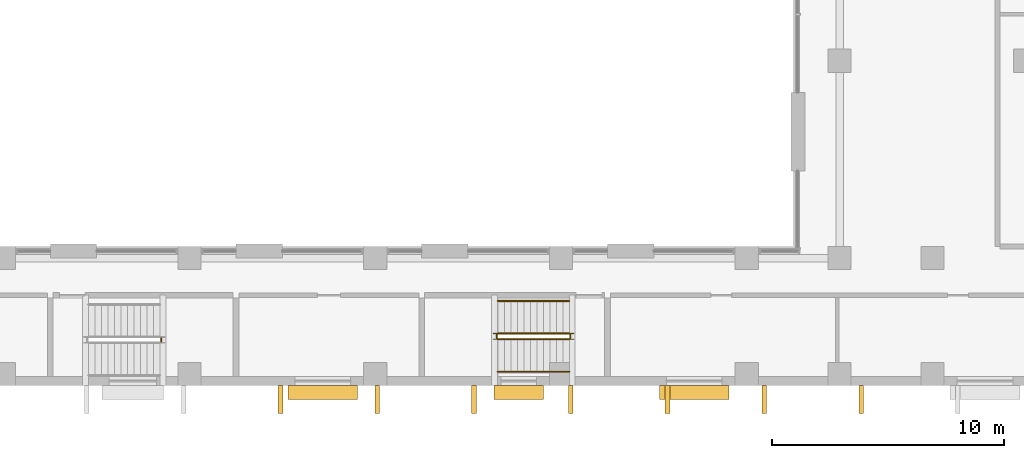
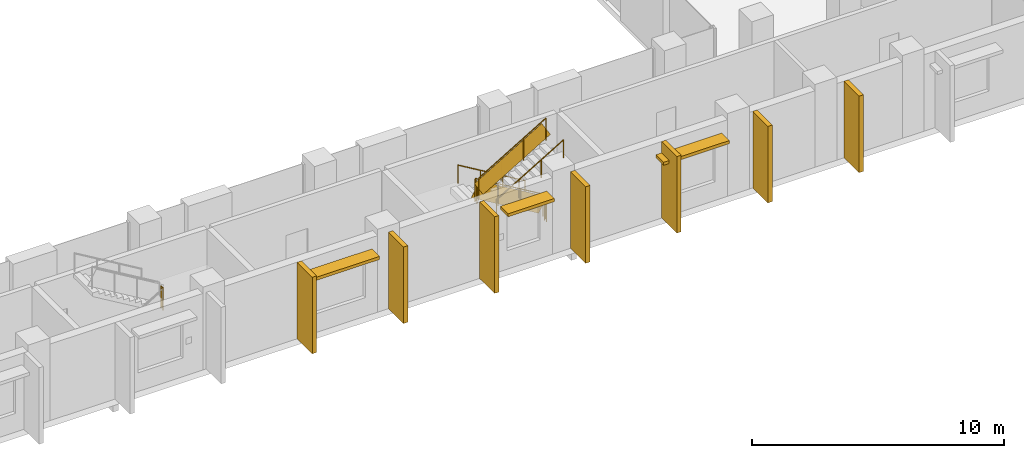
# One storey, part 20 of 25: 10 shading devices, 7 railings.
"""IFC4 building model written with IfcOpenShell, lengths in metres."""

from ifc_helpers import new_model, si_unit, direction, frame, frame_2d, origin, origin_2d, place, context, subcontext, project, spatial, rectangle, circle, extrude, material, layer, layer_set, type_object, element, save


model = new_model("IFC4")

# Units and contexts
model_context = context("Model", 3, precision=1e-05, world=origin(), true_north=direction((0.0, 1.0)))
body_context = subcontext(model_context, "Body", "Model", "MODEL_VIEW")
ifc_project = project(units=[si_unit("LENGTHUNIT", "METRE"), si_unit("AREAUNIT", "SQUARE_METRE"), si_unit("VOLUMEUNIT", "CUBIC_METRE"), si_unit("PLANEANGLEUNIT", "RADIAN"), si_unit("MASSUNIT", "GRAM", prefix="KILO")], contexts=[model_context])

# Site, building, storey
site_placement = place(None, origin())
site = spatial("IfcSite", under=ifc_project, at=site_placement, CompositionType="ELEMENT")
building_placement = place(site_placement, origin())
building = spatial("IfcBuilding", under=site, at=building_placement, Name="Vidyagriha Tower", CompositionType="ELEMENT")
storey_placement = place(building_placement, frame((0.0, 0.0, 10.0)))
storey = spatial("IfcBuildingStorey", under=building, at=storey_placement, Name="L02", CompositionType="ELEMENT", Elevation=10.0)

# Shading devices
ifc_material_1 = material(Name="Precast concrete C40/50 with brick facing", Category="concrete")
ifc_layer_1 = layer(ifc_material_1, 0.14990234375)
ifc_layer_set_1 = layer_set([ifc_layer_1], Name="Precast concrete C40/50 with brick facing")
shading_device_type_1 = type_object("IfcShadingDeviceType", Name="Brick chhajja window hood", PredefinedType="AWNING", material=ifc_layer_set_1)
shading_device_1_placement = place(storey_placement, frame((-0.264892578125, -50.300048828125, 3.0)))
element("IfcShadingDevice", 1, at=shading_device_1_placement, inside=storey, type_object=shading_device_type_1, Name="Window hood L02 R06.20", PredefinedType="AWNING", context=body_context, shape_type="SweptSolid", body=[
    extrude(rectangle(XDim=3.0, YDim=0.60009765625, at=origin_2d()), origin(), (0.0, 0.0, 1.0), 0.14990234375),
])
shading_device_2_placement = place(storey_placement, frame((8.175048828125, -50.300048828125, 3.0)))
element("IfcShadingDevice", 2, at=shading_device_2_placement, inside=storey, type_object=shading_device_type_1, Name="Window hood L02 R06.24", PredefinedType="AWNING", context=body_context, shape_type="SweptSolid", body=[
    extrude(rectangle(XDim=2.1201171875, YDim=0.60009765625, at=origin_2d()), origin(), (0.0, 0.0, 1.0), 0.14990234375),
])
shading_device_3_placement = place(storey_placement, frame((15.735107421875, -50.300048828125, 3.0)))
element("IfcShadingDevice", 3, at=shading_device_3_placement, inside=storey, type_object=shading_device_type_1, Name="Window hood L02 R06.28", PredefinedType="AWNING", context=body_context, shape_type="SweptSolid", body=[
    extrude(rectangle(XDim=3.0, YDim=0.60009765625, at=origin_2d()), origin(), (0.0, 0.0, 1.0), 0.14990234375),
])
ifc_material_2 = material(Name="Precast concrete C40/50 with brick facing", Category="concrete")
ifc_layer_2 = layer(ifc_material_2, 0.199951171875)
ifc_layer_set_2 = layer_set([ifc_layer_2], Name="Precast concrete C40/50 with brick facing")
shading_device_type_2 = type_object("IfcShadingDeviceType", Name="Brick-faced solar fin 1200", PredefinedType="USERDEFINED", material=ifc_layer_set_2)
for number, where, z_axis, x_axis, name in (
    (4, (-2.084228515625, -50.0, 0.0), (0.0, 0.0, 1.0), (0.0, -1.0, 0.0), "Solar fin L02 R06.9"),
    (5, (2.084228515625, -50.0, 0.0), (0.0, 0.0, 1.0), (0.0, -1.0, 0.0), "Solar fin L02 R06.10"),
    (6, (6.252685546875, -50.0, 0.0), (0.0, 0.0, 1.0), (0.0, -1.0, 0.0), "Solar fin L02 R06.11"),
    (7, (10.421142578125, -50.0, 0.0), (0.0, 0.0, 1.0), (0.0, -1.0, 0.0), "Solar fin L02 R06.12"),
    (8, (14.589599609375, -50.0, 0.0), (0.0, 0.0, 1.0), (0.0, -1.0, 0.0), "Solar fin L02 R06.13"),
    (9, (18.7578125, -50.0, 0.0), (0.0, 0.0, 1.0), (0.0, -1.0, 0.0), "Solar fin L02 R06.14"),
    (10, (22.92626953125, -50.0, 0.0), (0.0, 0.0, 1.0), (0.0, -1.0, 0.0), "Solar fin L02 R06.15"),
):
    element("IfcShadingDevice", number, at=place(storey_placement, frame(where, z_axis=z_axis, x_axis=x_axis)), inside=storey, type_object=shading_device_type_2, Name=name, ObjectType="SOLAR FIN", PredefinedType="USERDEFINED", context=body_context, shape_type="SweptSolid", body=[
        extrude(rectangle(XDim=1.199951171875, YDim=0.199951171875, at=frame_2d((0.60009765625, 0.0))), origin(), (0.0, 0.0, 1.0), 3.699951171875),
    ])

# Railings
ifc_material_3 = material(Name="Powder coated ASTM A500 Grade C steel balustrade", Category="steel")
railing_type_1 = type_object("IfcRailingType", Name="Podium Stair Guard 1100", PredefinedType="GUARDRAIL", material=ifc_material_3)
railing_1_placement = place(storey_placement, frame((-7.22509765625, -48.10009765625, 2.0)))
element("IfcRailing", 11, at=railing_1_placement, inside=storey, type_object=railing_type_1, Name="L02 PS3 stair guard 2", PredefinedType="GUARDRAIL", context=body_context, shape_type="SweptSolid", body=[
    extrude(circle(Radius=0.02392578125, at=origin_2d()), frame((0.0, 0.0, 1.076171875), z_axis=(0.0, 1.0, 0.0), x_axis=(-1.0, 0.0, 0.0)), (0.0, 0.0, 1.0), 0.150146484375),
    extrude(circle(Radius=0.02099609375, at=origin_2d()), origin(), (0.0, 0.0, 1.0), 1.052001953125),
    extrude(circle(Radius=0.02099609375, at=origin_2d()), frame((0.0, 0.150146484375, 0.0)), (0.0, 0.0, 1.0), 1.052001953125),
    extrude(rectangle(XDim=0.010009765625, YDim=0.902099609375, at=origin_2d()), frame((0.0, 0.0, 0.551025390625), z_axis=(0.0, 1.0, 0.0), x_axis=(-1.0, 0.0, 0.0)), (0.0, 0.0, 1.0), 0.150146484375),
])
railing_2_placement = place(storey_placement, frame((10.35498046875, -47.75, 0.166748046875)))
element("IfcRailing", 12, at=railing_2_placement, inside=storey, type_object=railing_type_1, Name="L02 PS4 stair guard 1", PredefinedType="GUARDRAIL", context=body_context, shape_type="SweptSolid", body=[
    extrude(circle(Radius=0.02392578125, at=origin_2d()), frame((0.0, 0.0, 1.076171875), z_axis=(-0.859308565015, 0.0, 0.511457515432), x_axis=(0.0, -1.0, 0.0)), (0.0, 0.0, 1.0), 3.58447265625),
    extrude(circle(Radius=0.02099609375, at=origin_2d()), origin(), (0.0, 0.0, 1.0), 1.052001953125),
    extrude(circle(Radius=0.02099609375, at=origin_2d()), frame((-1.026611328125, 0.0, 0.611083984375)), (0.0, 0.0, 1.0), 1.052001953125),
    extrude(circle(Radius=0.02099609375, at=origin_2d()), frame((-2.053466796875, 0.0, 1.22216796875)), (0.0, 0.0, 1.0), 1.052001953125),
    extrude(circle(Radius=0.02099609375, at=origin_2d()), frame((-3.080078125, 0.0, 1.833251953125)), (0.0, 0.0, 1.0), 1.052001953125),
    extrude(rectangle(XDim=0.010009765625, YDim=0.775146484375, at=origin_2d()), frame((0.0, 0.0, 0.551025390625), z_axis=(-0.859308565015, 0.0, 0.511457515432), x_axis=(0.0, -1.0, 0.0)), (0.0, 0.0, 1.0), 3.58447265625),
])
railing_3_placement = place(storey_placement, frame((7.22509765625, -47.800048828125, 2.0)))
element("IfcRailing", 13, at=railing_3_placement, inside=storey, type_object=railing_type_1, Name="L02 PS4 stair guard 2", PredefinedType="GUARDRAIL", context=body_context, shape_type="SweptSolid", body=[
    extrude(circle(Radius=0.02392578125, at=origin_2d()), frame((0.0, 0.0, 1.076171875), z_axis=(0.0, -1.0, 0.0), x_axis=(1.0, 0.0, 0.0)), (0.0, 0.0, 1.0), 0.14990234375),
    extrude(circle(Radius=0.02099609375, at=origin_2d()), origin(), (0.0, 0.0, 1.0), 1.052001953125),
    extrude(circle(Radius=0.02099609375, at=origin_2d()), frame((0.0, -0.14990234375, 0.0)), (0.0, 0.0, 1.0), 1.052001953125),
    extrude(rectangle(XDim=0.010009765625, YDim=0.902099609375, at=origin_2d()), frame((0.0, 0.0, 0.551025390625), z_axis=(0.0, -1.0, 0.0), x_axis=(1.0, 0.0, 0.0)), (0.0, 0.0, 1.0), 0.14990234375),
])
railing_4_placement = place(storey_placement, frame((7.27490234375, -48.0, 2.166748046875)))
element("IfcRailing", 14, at=railing_4_placement, inside=storey, type_object=railing_type_1, Name="L02 PS4 stair guard 3", PredefinedType="GUARDRAIL", context=body_context, shape_type="SweptSolid", body=[
    extrude(circle(Radius=0.02392578125, at=origin_2d()), frame((0.0, 0.0, 1.076171875), z_axis=(0.859308565015, 0.0, 0.511457515432), x_axis=(0.0, 1.0, 0.0)), (0.0, 0.0, 1.0), 3.58447265625),
    extrude(circle(Radius=0.02099609375, at=origin_2d()), origin(), (0.0, 0.0, 1.0), 1.052001953125),
    extrude(circle(Radius=0.02099609375, at=origin_2d()), frame((1.026611328125, 0.0, 0.611083984375)), (0.0, 0.0, 1.0), 1.052001953125),
    extrude(circle(Radius=0.02099609375, at=origin_2d()), frame((2.053466796875, 0.0, 1.22216796875)), (0.0, 0.0, 1.0), 1.052001953125),
    extrude(circle(Radius=0.02099609375, at=origin_2d()), frame((3.080078125, 0.0, 1.833251953125)), (0.0, 0.0, 1.0), 1.052001953125),
    extrude(rectangle(XDim=0.010009765625, YDim=0.775146484375, at=origin_2d()), frame((0.0, 0.0, 0.551025390625), z_axis=(0.859308565015, 0.0, 0.511457515432), x_axis=(0.0, 1.0, 0.0)), (0.0, 0.0, 1.0), 3.58447265625),
])
railing_5_placement = place(storey_placement, frame((10.405029296875, -47.800048828125, 0.0)))
element("IfcRailing", 15, at=railing_5_placement, inside=storey, type_object=railing_type_1, Name="L02 PS4 stair guard 4", PredefinedType="GUARDRAIL", context=body_context, shape_type="SweptSolid", body=[
    extrude(circle(Radius=0.02392578125, at=origin_2d()), frame((0.0, 0.0, 1.076171875), z_axis=(0.0, -1.0, 0.0), x_axis=(1.0, 0.0, 0.0)), (0.0, 0.0, 1.0), 0.14990234375),
    extrude(circle(Radius=0.02099609375, at=origin_2d()), origin(), (0.0, 0.0, 1.0), 1.052001953125),
    extrude(circle(Radius=0.02099609375, at=origin_2d()), frame((0.0, -0.14990234375, 0.0)), (0.0, 0.0, 1.0), 1.052001953125),
    extrude(rectangle(XDim=0.010009765625, YDim=0.902099609375, at=origin_2d()), frame((0.0, 0.0, 0.551025390625), z_axis=(0.0, -1.0, 0.0), x_axis=(1.0, 0.0, 0.0)), (0.0, 0.0, 1.0), 0.14990234375),
])
ifc_material_4 = material(Name="Powder coated ASTM A500 Grade C steel handrail", Category="steel")
railing_type_2 = type_object("IfcRailingType", Name="Podium Stair Handrail 900", PredefinedType="HANDRAIL", material=ifc_material_4)
railing_6_placement = place(storey_placement, frame((10.35498046875, -46.35009765625, 0.166748046875)))
element("IfcRailing", 16, at=railing_6_placement, inside=storey, type_object=railing_type_2, Name="L02 PS4 stair handrail 1", PredefinedType="HANDRAIL", context=body_context, shape_type="SweptSolid", body=[
    extrude(circle(Radius=0.02392578125, at=origin_2d()), frame((0.0, 0.0, 0.8759765625), z_axis=(-0.859308565015, 0.0, 0.511457515432), x_axis=(0.0, -1.0, 0.0)), (0.0, 0.0, 1.0), 3.58447265625),
    extrude(circle(Radius=0.02099609375, at=origin_2d()), origin(), (0.0, 0.0, 1.0), 0.851806640625),
    extrude(circle(Radius=0.02099609375, at=origin_2d()), frame((-1.026611328125, 0.0, 0.611083984375)), (0.0, 0.0, 1.0), 0.851806640625),
    extrude(circle(Radius=0.02099609375, at=origin_2d()), frame((-2.053466796875, 0.0, 1.22216796875)), (0.0, 0.0, 1.0), 0.851806640625),
    extrude(circle(Radius=0.02099609375, at=origin_2d()), frame((-3.080078125, 0.0, 1.833251953125)), (0.0, 0.0, 1.0), 0.851806640625),
])
railing_7_placement = place(storey_placement, frame((7.27490234375, -49.39990234375, 2.166748046875)))
element("IfcRailing", 17, at=railing_7_placement, inside=storey, type_object=railing_type_2, Name="L02 PS4 stair handrail 2", PredefinedType="HANDRAIL", context=body_context, shape_type="SweptSolid", body=[
    extrude(circle(Radius=0.02392578125, at=origin_2d()), frame((0.0, 0.0, 0.8759765625), z_axis=(0.859308565015, 0.0, 0.511457515432), x_axis=(0.0, 1.0, 0.0)), (0.0, 0.0, 1.0), 3.58447265625),
    extrude(circle(Radius=0.02099609375, at=origin_2d()), origin(), (0.0, 0.0, 1.0), 0.851806640625),
    extrude(circle(Radius=0.02099609375, at=origin_2d()), frame((1.026611328125, 0.0, 0.611083984375)), (0.0, 0.0, 1.0), 0.851806640625),
    extrude(circle(Radius=0.02099609375, at=origin_2d()), frame((2.053466796875, 0.0, 1.22216796875)), (0.0, 0.0, 1.0), 0.851806640625),
    extrude(circle(Radius=0.02099609375, at=origin_2d()), frame((3.080078125, 0.0, 1.833251953125)), (0.0, 0.0, 1.0), 0.851806640625),
])

save(model, "model.ifc")
